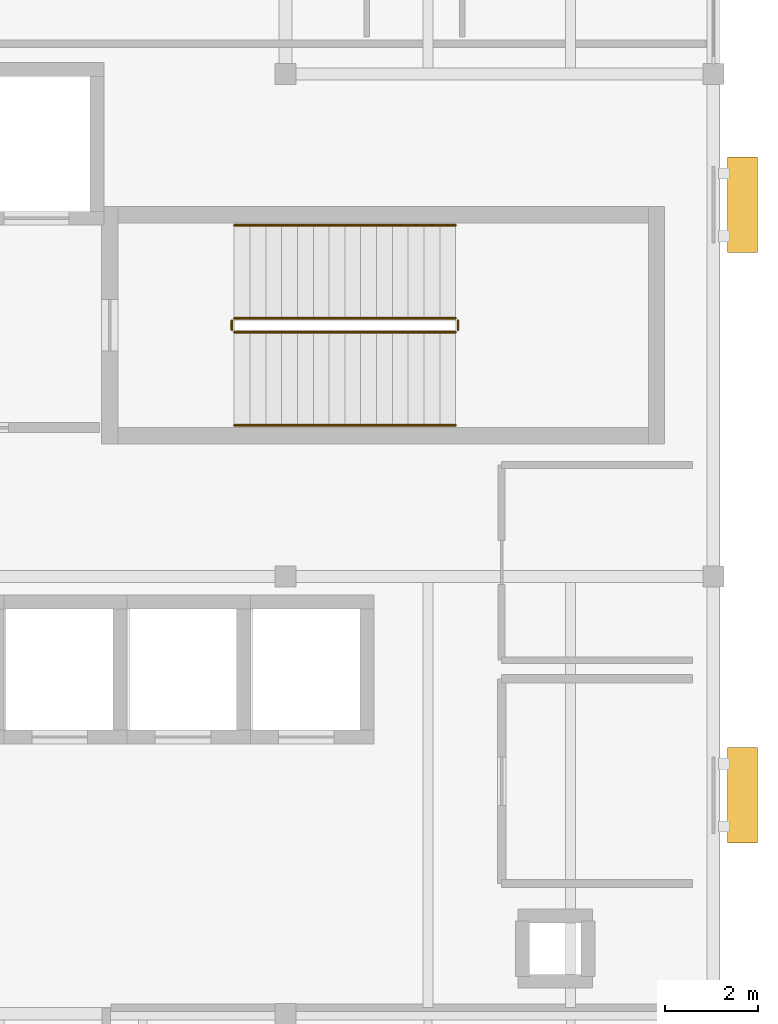
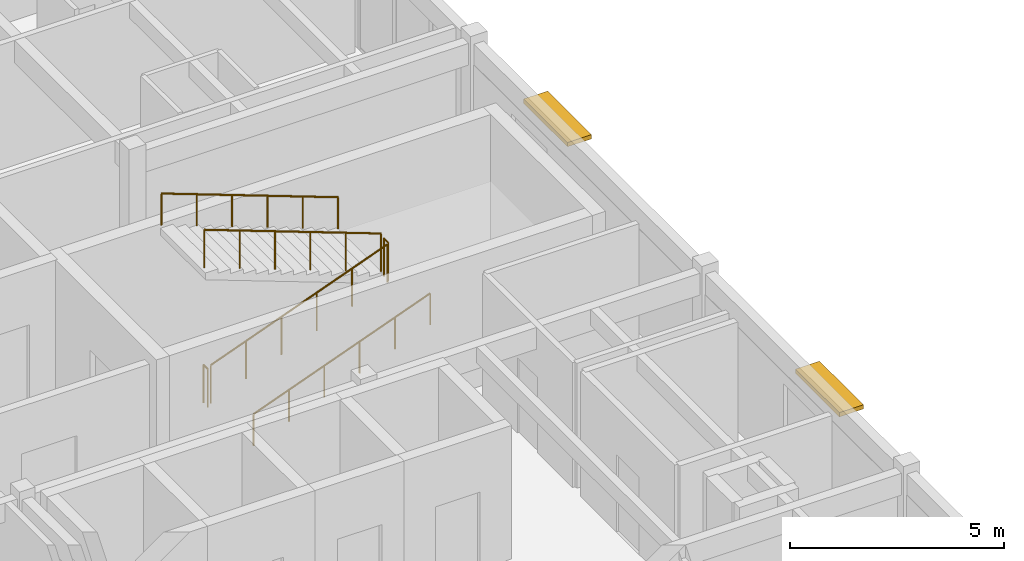
# One storey, part 18 of 18: 6 railings, 2 shading devices.
"""IFC4 building model written with IfcOpenShell, lengths in metres."""

from ifc_helpers import new_model, si_unit, direction, frame, origin, origin_2d, place, context, subcontext, project, spatial, rectangle, circle, extrude, material, type_object, element, save


model = new_model("IFC4")

# Units and contexts
model_context = context("Model", 3, precision=1e-05, world=origin(), true_north=direction((0.0, 1.0)))
body_context = subcontext(model_context, "Body", "Model", "MODEL_VIEW")
ifc_project = project(units=[si_unit("LENGTHUNIT", "METRE"), si_unit("AREAUNIT", "SQUARE_METRE"), si_unit("VOLUMEUNIT", "CUBIC_METRE"), si_unit("PLANEANGLEUNIT", "RADIAN"), si_unit("MASSUNIT", "GRAM", prefix="KILO")], contexts=[model_context])

# Site, building, storey
site_placement = place(None, origin())
site = spatial("IfcSite", under=ifc_project, at=site_placement, CompositionType="ELEMENT")
building_placement = place(site_placement, origin())
building = spatial("IfcBuilding", under=site, at=building_placement, Name="Veldera Park Congress Hotel", CompositionType="ELEMENT")
storey_placement = place(building_placement, frame((0.0, 0.0, 31.39990234375)))
storey = spatial("IfcBuildingStorey", under=building, at=storey_placement, Name="L07", CompositionType="ELEMENT", Elevation=31.39990234375)

# Railings
ifc_material_1 = material(Name="Steel ASTM A992 Gr.50", Category="steel")
railing_type_1 = type_object("IfcRailingType", Name="GRD-ST110", PredefinedType="GUARDRAIL", material=ifc_material_1)
railing_1_placement = place(storey_placement, frame((73.699951171875, 41.64990234375, 0.126708984375)))
element("IfcRailing", 1, at=railing_1_placement, inside=storey, type_object=railing_type_1, Name="L07 ST1 stair guard 1", PredefinedType="GUARDRAIL", context=body_context, shape_type="SweptSolid", body=[
    extrude(circle(Radius=0.02392578125, at=origin_2d()), frame((0.0, 0.0, 1.076171875), z_axis=(0.937075640343, 0.0, 0.349126401572), x_axis=(0.0, 1.0, 0.0)), (0.0, 0.0, 1.0), 5.07958984375),
    extrude(circle(Radius=0.02099609375, at=origin_2d()), origin(), (0.0, 0.0, 1.0), 1.052001953125),
    extrude(circle(Radius=0.02099609375, at=origin_2d()), frame((0.951904296875, 0.0, 0.354736328125)), (0.0, 0.0, 1.0), 1.052001953125),
    extrude(circle(Radius=0.02099609375, at=origin_2d()), frame((1.904052734375, 0.0, 0.70947265625)), (0.0, 0.0, 1.0), 1.052001953125),
    extrude(circle(Radius=0.02099609375, at=origin_2d()), frame((2.85595703125, 0.0, 1.06396484375)), (0.0, 0.0, 1.0), 1.052001953125),
    extrude(circle(Radius=0.02099609375, at=origin_2d()), frame((3.80810546875, 0.0, 1.418701171875)), (0.0, 0.0, 1.0), 1.052001953125),
    extrude(circle(Radius=0.02099609375, at=origin_2d()), frame((4.760009765625, 0.0, 1.7734375)), (0.0, 0.0, 1.0), 1.052001953125),
])
railing_2_placement = place(storey_placement, frame((78.510009765625, 41.699951171875, 1.900146484375)))
element("IfcRailing", 2, at=railing_2_placement, inside=storey, type_object=railing_type_1, Name="L07 ST1 stair guard 2", PredefinedType="GUARDRAIL", context=body_context, shape_type="SweptSolid", body=[
    extrude(circle(Radius=0.02392578125, at=origin_2d()), frame((0.0, 0.0, 1.076171875), z_axis=(0.0, 1.0, 0.0), x_axis=(-1.0, 0.0, 0.0)), (0.0, 0.0, 1.0), 0.199951171875),
    extrude(circle(Radius=0.02099609375, at=origin_2d()), origin(), (0.0, 0.0, 1.0), 1.052001953125),
    extrude(circle(Radius=0.02099609375, at=origin_2d()), frame((0.0, 0.199951171875, 0.0)), (0.0, 0.0, 1.0), 1.052001953125),
])
railing_3_placement = place(storey_placement, frame((78.4599609375, 41.949951171875, 2.02685546875)))
element("IfcRailing", 3, at=railing_3_placement, inside=storey, type_object=railing_type_1, Name="L07 ST1 stair guard 3", PredefinedType="GUARDRAIL", context=body_context, shape_type="SweptSolid", body=[
    extrude(circle(Radius=0.02392578125, at=origin_2d()), frame((0.0, 0.0, 1.076171875), z_axis=(-0.937091363699, 0.0, 0.349084196263), x_axis=(0.0, -1.0, 0.0)), (0.0, 0.0, 1.0), 5.07958984375),
    extrude(circle(Radius=0.02099609375, at=origin_2d()), origin(), (0.0, 0.0, 1.0), 1.052001953125),
    extrude(circle(Radius=0.02099609375, at=origin_2d()), frame((-0.951904296875, 0.0, 0.354736328125)), (0.0, 0.0, 1.0), 1.052001953125),
    extrude(circle(Radius=0.02099609375, at=origin_2d()), frame((-1.904052734375, 0.0, 0.709228515625)), (0.0, 0.0, 1.0), 1.052001953125),
    extrude(circle(Radius=0.02099609375, at=origin_2d()), frame((-2.85595703125, 0.0, 1.06396484375)), (0.0, 0.0, 1.0), 1.052001953125),
    extrude(circle(Radius=0.02099609375, at=origin_2d()), frame((-3.80810546875, 0.0, 1.41845703125)), (0.0, 0.0, 1.0), 1.052001953125),
    extrude(circle(Radius=0.02099609375, at=origin_2d()), frame((-4.760009765625, 0.0, 1.773193359375)), (0.0, 0.0, 1.0), 1.052001953125),
])
railing_4_placement = place(storey_placement, frame((73.64990234375, 41.699951171875, 0.0)))
element("IfcRailing", 4, at=railing_4_placement, inside=storey, type_object=railing_type_1, Name="L07 ST1 stair guard 4", PredefinedType="GUARDRAIL", context=body_context, shape_type="SweptSolid", body=[
    extrude(circle(Radius=0.02392578125, at=origin_2d()), frame((0.0, 0.0, 1.076171875), z_axis=(0.0, 1.0, 0.0), x_axis=(-1.0, 0.0, 0.0)), (0.0, 0.0, 1.0), 0.199951171875),
    extrude(circle(Radius=0.02099609375, at=origin_2d()), origin(), (0.0, 0.0, 1.0), 1.052001953125),
    extrude(circle(Radius=0.02099609375, at=origin_2d()), frame((0.0, 0.199951171875, 0.0)), (0.0, 0.0, 1.0), 1.052001953125),
])
railing_type_2 = type_object("IfcRailingType", Name="HRL-920", PredefinedType="HANDRAIL", material=ifc_material_1)
railing_5_placement = place(storey_placement, frame((73.699951171875, 39.64990234375, 0.126708984375)))
element("IfcRailing", 5, at=railing_5_placement, inside=storey, type_object=railing_type_2, Name="L07 ST1 stair handrail 1", PredefinedType="HANDRAIL", context=body_context, shape_type="SweptSolid", body=[
    extrude(circle(Radius=0.02392578125, at=origin_2d()), frame((0.0, 0.0, 0.89599609375), z_axis=(0.937075640343, 0.0, 0.349126401572), x_axis=(0.0, 1.0, 0.0)), (0.0, 0.0, 1.0), 5.07958984375),
    extrude(circle(Radius=0.02099609375, at=origin_2d()), origin(), (0.0, 0.0, 1.0), 0.871826171875),
    extrude(circle(Radius=0.02099609375, at=origin_2d()), frame((0.951904296875, 0.0, 0.354736328125)), (0.0, 0.0, 1.0), 0.871826171875),
    extrude(circle(Radius=0.02099609375, at=origin_2d()), frame((1.904052734375, 0.0, 0.70947265625)), (0.0, 0.0, 1.0), 0.871826171875),
    extrude(circle(Radius=0.02099609375, at=origin_2d()), frame((2.85595703125, 0.0, 1.06396484375)), (0.0, 0.0, 1.0), 0.871826171875),
    extrude(circle(Radius=0.02099609375, at=origin_2d()), frame((3.80810546875, 0.0, 1.418701171875)), (0.0, 0.0, 1.0), 0.871826171875),
    extrude(circle(Radius=0.02099609375, at=origin_2d()), frame((4.760009765625, 0.0, 1.7734375)), (0.0, 0.0, 1.0), 0.871826171875),
])
railing_6_placement = place(storey_placement, frame((78.4599609375, 43.949951171875, 2.02685546875)))
element("IfcRailing", 6, at=railing_6_placement, inside=storey, type_object=railing_type_2, Name="L07 ST1 stair handrail 2", PredefinedType="HANDRAIL", context=body_context, shape_type="SweptSolid", body=[
    extrude(circle(Radius=0.02392578125, at=origin_2d()), frame((0.0, 0.0, 0.89599609375), z_axis=(-0.937091363699, 0.0, 0.349084196263), x_axis=(0.0, -1.0, 0.0)), (0.0, 0.0, 1.0), 5.07958984375),
    extrude(circle(Radius=0.02099609375, at=origin_2d()), origin(), (0.0, 0.0, 1.0), 0.871826171875),
    extrude(circle(Radius=0.02099609375, at=origin_2d()), frame((-0.951904296875, 0.0, 0.354736328125)), (0.0, 0.0, 1.0), 0.871826171875),
    extrude(circle(Radius=0.02099609375, at=origin_2d()), frame((-1.904052734375, 0.0, 0.709228515625)), (0.0, 0.0, 1.0), 0.871826171875),
    extrude(circle(Radius=0.02099609375, at=origin_2d()), frame((-2.85595703125, 0.0, 1.06396484375)), (0.0, 0.0, 1.0), 0.871826171875),
    extrude(circle(Radius=0.02099609375, at=origin_2d()), frame((-3.80810546875, 0.0, 1.41845703125)), (0.0, 0.0, 1.0), 0.871826171875),
    extrude(circle(Radius=0.02099609375, at=origin_2d()), frame((-4.760009765625, 0.0, 1.773193359375)), (0.0, 0.0, 1.0), 0.871826171875),
])

# Shading devices
ifc_material_2 = material(Name="Glulam GL28h (NDS 24F-V4)", Category="wood")
shading_device_type = type_object("IfcShadingDeviceType", Name="SHD-LVR300", PredefinedType="JALOUSIE", material=ifc_material_2)
for number, where, z_axis, x_axis, name in (
    (7, (84.625, 31.699951171875, 2.669921875), (0.0, 0.0, 1.0), (0.0, 1.0, 0.0), "Glulam Solar Shade 193"),
    (8, (84.625, 44.388427734375, 2.669921875), (0.0, 0.0, 1.0), (0.0, 1.0, 0.0), "Glulam Solar Shade 194"),
):
    element("IfcShadingDevice", number, at=place(storey_placement, frame(where, z_axis=z_axis, x_axis=x_axis)), inside=storey, type_object=shading_device_type, Name=name, PredefinedType="JALOUSIE", context=body_context, shape_type="SweptSolid", body=[
        extrude(rectangle(XDim=2.050048828125, YDim=0.64990234375, at=origin_2d()), origin(), (0.0, 0.0, 1.0), 0.1201171875),
    ])

save(model, "model.ifc")
